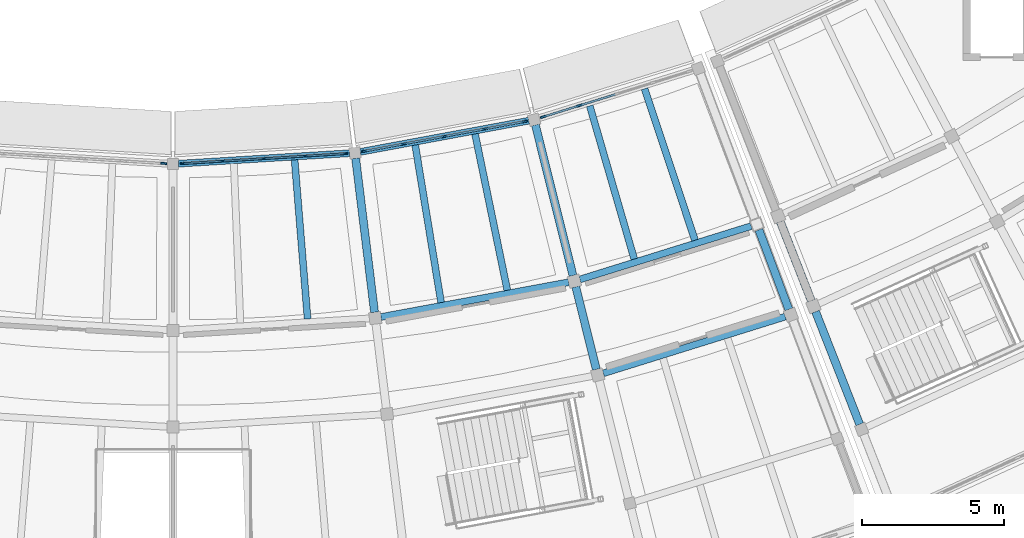
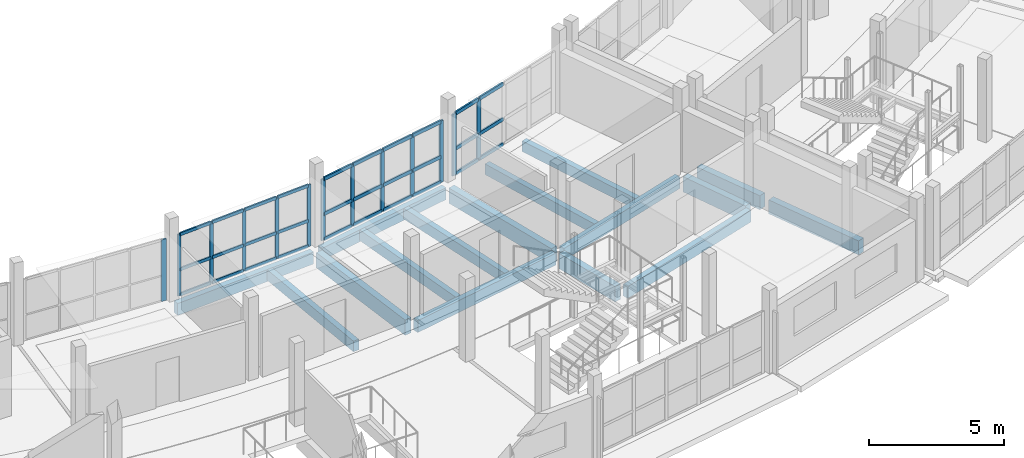
# One storey, part 27 of 66: 43 members, 16 beams, 4 elements without a shape of their own.
"""IFC4 building model written with IfcOpenShell, lengths in metres."""

from ifc_helpers import new_model, si_unit, direction, frame, origin, origin_2d, place, context, subcontext, project, spatial, rectangle, extrude, material, layer, layer_set, material_profile, profile_set, type_object, element, aggregate, save


model = new_model("IFC4")

# Units and contexts
model_context = context("Model", 3, precision=1e-05, world=origin(), true_north=direction((0.0, 1.0)))
body_context = subcontext(model_context, "Body", "Model", "MODEL_VIEW")
ifc_project = project(units=[si_unit("LENGTHUNIT", "METRE"), si_unit("AREAUNIT", "SQUARE_METRE"), si_unit("VOLUMEUNIT", "CUBIC_METRE"), si_unit("PLANEANGLEUNIT", "RADIAN"), si_unit("MASSUNIT", "GRAM", prefix="KILO")], contexts=[model_context])

# Site, building, storey
site_placement = place(None, origin())
site = spatial("IfcSite", under=ifc_project, at=site_placement, CompositionType="ELEMENT")
building_placement = place(site_placement, origin())
building = spatial("IfcBuilding", under=site, at=building_placement, Name="Caldaven Crescent School", CompositionType="ELEMENT")
storey_placement = place(building_placement, frame((0.0, 0.0, 8.159912109375)))
storey = spatial("IfcBuildingStorey", under=building, at=storey_placement, Name="L02", CompositionType="ELEMENT", Elevation=8.159912109375)

# Beams
ifc_material_1 = material(Name="Glulam MLE24h (GL28h)", Category="wood")
ifc_material_profile_1 = material_profile(ifc_material_1, rectangle(XDim=0.239990234375, YDim=0.5400390625, at=origin_2d()), Name="MLE 240x540")
ifc_profile_set_1 = profile_set([ifc_material_profile_1], Name="Glulam MLE24h (GL28h)")
beam_type_1 = type_object("IfcBeamType", Name="BM-GL54", PredefinedType="BEAM", material=ifc_profile_set_1)
beam_1_placement = place(storey_placement, frame((95.306640625, 38.171875, -0.52001953125), z_axis=(0.983256896328, 0.182224794756, 0.0), x_axis=(-0.182224794756, 0.983256896328, 0.0)))
element("IfcBeam", 1, at=beam_1_placement, inside=storey, type_object=beam_type_1, Name="BMT-V5-L02-1261", PredefinedType="BEAM", context=body_context, shape_type="SweptSolid", body=[
    extrude(rectangle(XDim=0.239990234375, YDim=0.5400390625, at=origin_2d()), origin(), (0.0, 0.0, 1.0), 6.708251953125),
])
beam_2_placement = place(storey_placement, frame((102.2998046875, 39.49267578125, -0.52001953125), z_axis=(0.954745450865, 0.297424148401, 0.0), x_axis=(-0.297424148401, 0.954745450865, 0.0)))
element("IfcBeam", 2, at=beam_2_placement, inside=storey, type_object=beam_type_1, Name="BMT-V5-L02-1267", PredefinedType="BEAM", context=body_context, shape_type="SweptSolid", body=[
    extrude(rectangle(XDim=0.239990234375, YDim=0.5400390625, at=origin_2d()), origin(), (0.0, 0.0, 1.0), 6.307373046875),
])
beam_3_placement = place(storey_placement, frame((103.122314453125, 36.193603515625, -0.52001953125), z_axis=(0.95474092987, 0.29743866062, 0.0), x_axis=(-0.29743866062, 0.95474092987, 0.0)))
element("IfcBeam", 3, at=beam_3_placement, inside=storey, type_object=beam_type_1, Name="BMT-V5-L02-1268", PredefinedType="BEAM", context=body_context, shape_type="SweptSolid", body=[
    extrude(rectangle(XDim=0.239990234375, YDim=0.5400390625, at=origin_2d()), origin(), (0.0, 0.0, 1.0), 6.699462890625),
])
ifc_material_profile_2 = material_profile(ifc_material_1, rectangle(XDim=0.280029296875, YDim=0.6298828125, at=origin_2d()), Name="MLE 280x630")
ifc_profile_set_2 = profile_set([ifc_material_profile_2], Name="Glulam MLE24h (GL28h)")
beam_type_2 = type_object("IfcBeamType", Name="BM-GL63", PredefinedType="BEAM", material=ifc_profile_set_2)
beam_4_placement = place(storey_placement, frame((109.341796875, 41.526611328125, -0.56494140625), z_axis=(0.364821090582, -0.931077640085, 0.0), x_axis=(0.931077640085, 0.364821090582, 0.0)))
element("IfcBeam", 4, at=beam_4_placement, inside=storey, type_object=beam_type_2, Name="BMR-V4E-L02-1276", PredefinedType="BEAM", context=body_context, shape_type="SweptSolid", body=[
    extrude(rectangle(XDim=0.280029296875, YDim=0.6298828125, at=origin_2d()), origin(), (0.0, 0.0, 1.0), 2.989990234375),
])
beam_5_placement = place(storey_placement, frame((110.582275390625, 38.36083984375, -0.56494140625), z_axis=(0.364743301382, -0.931108116223, 0.0), x_axis=(0.931108116223, 0.364743301382, 0.0)))
element("IfcBeam", 5, at=beam_5_placement, inside=storey, type_object=beam_type_2, Name="BMR-V4E-L02-1277", PredefinedType="BEAM", context=body_context, shape_type="SweptSolid", body=[
    extrude(rectangle(XDim=0.280029296875, YDim=0.6298828125, at=origin_2d()), origin(), (0.0, 0.0, 1.0), 4.255126953125),
])
ifc_material_profile_3 = material_profile(ifc_material_1, rectangle(XDim=0.280029296875, YDim=0.68994140625, at=origin_2d()), Name="MLE 280x690")
ifc_profile_set_3 = profile_set([ifc_material_profile_3], Name="Glulam MLE24h (GL28h)")
beam_type_3 = type_object("IfcBeamType", Name="BM-GL69", PredefinedType="BEAM", material=ifc_profile_set_3)
for number, where, z_axis, x_axis, name in (
    (6, (94.415283203125, 43.75244140625, -0.594970703125), (0.121869642909, -0.992546114867, 0.0), (0.992546114867, 0.121869642909, 0.0), "BMR-V5-L02-1216"),
    (7, (100.73486328125, 44.923583984375, -0.594970703125), (0.241903730583, -0.970300255143, 0.0), (0.970300255143, 0.241903730583, 0.0), "BMR-V5-L02-1220"),
):
    element("IfcBeam", number, at=place(storey_placement, frame(where, z_axis=z_axis, x_axis=x_axis)), inside=storey, type_object=beam_type_3, Name=name, PredefinedType="BEAM", context=body_context, shape_type="SweptSolid", body=[
        extrude(rectangle(XDim=0.280029296875, YDim=0.68994140625, at=origin_2d()), origin(), (0.0, 0.0, 1.0), 5.455078125),
    ])
beam_6_placement = place(storey_placement, frame((102.153564453125, 39.23291015625, -0.594970703125), z_axis=(0.241920820529, -0.97029599432, 0.0), x_axis=(0.97029599432, 0.241920820529, 0.0)))
element("IfcBeam", 8, at=beam_6_placement, inside=storey, type_object=beam_type_3, Name="BMR-V5-L02-1221", PredefinedType="BEAM", context=body_context, shape_type="SweptSolid", body=[
    extrude(rectangle(XDim=0.280029296875, YDim=0.68994140625, at=origin_2d()), origin(), (0.0, 0.0, 1.0), 2.990234375),
])
beam_7_placement = place(storey_placement, frame((108.58984375, 41.23779296875, -0.594970703125), z_axis=(0.351937632277, -0.936023452157, 0.0), x_axis=(0.936023452157, 0.351937632277, 0.0)))
element("IfcBeam", 9, at=beam_7_placement, inside=storey, type_object=beam_type_3, Name="BMR-V5-L02-1225", PredefinedType="BEAM", context=body_context, shape_type="SweptSolid", body=[
    extrude(rectangle(XDim=0.280029296875, YDim=0.68994140625, at=origin_2d()), origin(), (0.0, 0.0, 1.0), 2.98974609375),
])

# Curtain wall, members
ifc_material_2 = material(Name="Anodised aluminium AA 6063-T6 and low-E double glazing", Category="aluminium")
ifc_layer_1 = layer(ifc_material_2, 0.18994140625)
ifc_layer_set_1 = layer_set([ifc_layer_1], Name="Anodised aluminium AA 6063-T6 and low-E double glazing")
curtain_wall_type_1 = type_object("IfcCurtainWallType", Name="CW-SYS2", PredefinedType="NOTDEFINED", material=ifc_layer_set_1)
curtain_wall_1_placement = place(storey_placement, origin())
curtain_wall_1 = element("IfcCurtainWall", 10, at=curtain_wall_1_placement, inside=storey, type_object=curtain_wall_type_1, Name="CW-L02-145", PredefinedType="NOTDEFINED")
ifc_material_3 = material(Name="Anodised aluminium AA 6063-T6", Category="aluminium")
ifc_material_profile_4 = material_profile(ifc_material_3, rectangle(XDim=0.06005859375, YDim=0.14990234375, at=origin_2d()), Name="CWM 60x150")
ifc_profile_set_4 = profile_set([ifc_material_profile_4], Name="Anodised aluminium AA 6063-T6")
member_type_1 = type_object("IfcMemberType", Name="CWM-T1", PredefinedType="MULLION", material=ifc_profile_set_4)
member_1_placement = place(storey_placement, frame((88.329345703125, 43.570068359375, 0.0), z_axis=(0.0, 0.0, 1.0), x_axis=(-0.061049319496, 0.998134750717, 0.0)))
member_1 = element("IfcMember", 11, at=member_1_placement, type_object=member_type_1, Name="CW2 mullion 1", PredefinedType="MULLION", context=body_context, shape_type="SweptSolid", body=[
    extrude(rectangle(XDim=0.06005859375, YDim=0.14990234375, at=origin_2d()), origin(), (0.0, 0.0, 1.0), 2.780029296875),
])
member_2_placement = place(storey_placement, frame((89.747802734375, 43.656982421875, 0.0), z_axis=(0.0, 0.0, 1.0), x_axis=(-0.061049319496, 0.998134750717, 0.0)))
member_2 = element("IfcMember", 12, at=member_2_placement, type_object=member_type_1, Name="CW2 mullion 2", PredefinedType="MULLION", context=body_context, shape_type="SweptSolid", body=[
    extrude(rectangle(XDim=0.06005859375, YDim=0.14990234375, at=origin_2d()), origin(), (0.0, 0.0, 1.0), 2.780029296875),
])
member_3_placement = place(storey_placement, frame((91.196044921875, 43.745361328125, 0.0), z_axis=(0.0, 0.0, 1.0), x_axis=(-0.061049319496, 0.998134750717, 0.0)))
member_3 = element("IfcMember", 13, at=member_3_placement, type_object=member_type_1, Name="CW2 mullion 3", PredefinedType="MULLION", context=body_context, shape_type="SweptSolid", body=[
    extrude(rectangle(XDim=0.06005859375, YDim=0.14990234375, at=origin_2d()), origin(), (0.0, 0.0, 1.0), 2.780029296875),
])
member_4_placement = place(storey_placement, frame((92.644287109375, 43.833984375, 0.0), z_axis=(0.0, 0.0, 1.0), x_axis=(-0.061049319496, 0.998134750717, 0.0)))
member_4 = element("IfcMember", 14, at=member_4_placement, type_object=member_type_1, Name="CW2 mullion 4", PredefinedType="MULLION", context=body_context, shape_type="SweptSolid", body=[
    extrude(rectangle(XDim=0.06005859375, YDim=0.14990234375, at=origin_2d()), origin(), (0.0, 0.0, 1.0), 2.780029296875),
])
member_5_placement = place(storey_placement, frame((94.062744140625, 43.9208984375, 0.0), z_axis=(0.0, 0.0, 1.0), x_axis=(-0.061049319496, 0.998134750717, 0.0)))
member_5 = element("IfcMember", 15, at=member_5_placement, type_object=member_type_1, Name="CW2 mullion 5", PredefinedType="MULLION", context=body_context, shape_type="SweptSolid", body=[
    extrude(rectangle(XDim=0.06005859375, YDim=0.14990234375, at=origin_2d()), origin(), (0.0, 0.0, 1.0), 2.780029296875),
])

ifc_layer_2 = layer(ifc_material_2, 0.2099609375)
ifc_layer_set_2 = layer_set([ifc_layer_2], Name="Anodised aluminium AA 6063-T6 and low-E double glazing")
curtain_wall_type_2 = type_object("IfcCurtainWallType", Name="CW-SYS3", PredefinedType="NOTDEFINED", material=ifc_layer_set_2)
curtain_wall_2_placement = place(storey_placement, origin())
curtain_wall_2 = element("IfcCurtainWall", 16, at=curtain_wall_2_placement, inside=storey, type_object=curtain_wall_type_2, Name="CW-L02-146", PredefinedType="NOTDEFINED")
ifc_material_profile_5 = material_profile(ifc_material_3, rectangle(XDim=0.06494140625, YDim=0.179931640625, at=origin_2d()), Name="CWM 65x180")
ifc_profile_set_5 = profile_set([ifc_material_profile_5], Name="Anodised aluminium AA 6063-T6")
member_type_2 = type_object("IfcMemberType", Name="CWM-T2", PredefinedType="MULLION", material=ifc_profile_set_5)
member_6_placement = place(storey_placement, frame((94.718994140625, 44.00146484375, 0.0), z_axis=(0.0, 0.0, 1.0), x_axis=(-0.182236405836, 0.983254744401, 0.0)))
member_6 = element("IfcMember", 17, at=member_6_placement, type_object=member_type_2, Name="CW3 mullion 1", PredefinedType="MULLION", context=body_context, shape_type="SweptSolid", body=[
    extrude(rectangle(XDim=0.06494140625, YDim=0.179931640625, at=origin_2d()), origin(), (0.0, 0.0, 1.0), 2.780029296875),
])
member_7_placement = place(storey_placement, frame((96.11376953125, 44.260009765625, 0.0), z_axis=(0.0, 0.0, 1.0), x_axis=(-0.182236405836, 0.983254744401, 0.0)))
member_7 = element("IfcMember", 18, at=member_7_placement, type_object=member_type_2, Name="CW3 mullion 2", PredefinedType="MULLION", context=body_context, shape_type="SweptSolid", body=[
    extrude(rectangle(XDim=0.06494140625, YDim=0.179931640625, at=origin_2d()), origin(), (0.0, 0.0, 1.0), 2.780029296875),
])
member_8_placement = place(storey_placement, frame((97.54052734375, 44.5244140625, 0.0), z_axis=(0.0, 0.0, 1.0), x_axis=(-0.182236405836, 0.983254744401, 0.0)))
member_8 = element("IfcMember", 19, at=member_8_placement, type_object=member_type_2, Name="CW3 mullion 3", PredefinedType="MULLION", context=body_context, shape_type="SweptSolid", body=[
    extrude(rectangle(XDim=0.06494140625, YDim=0.179931640625, at=origin_2d()), origin(), (0.0, 0.0, 1.0), 2.780029296875),
])
member_9_placement = place(storey_placement, frame((98.967041015625, 44.788818359375, 0.0), z_axis=(0.0, 0.0, 1.0), x_axis=(-0.182236405836, 0.983254744401, 0.0)))
member_9 = element("IfcMember", 20, at=member_9_placement, type_object=member_type_2, Name="CW3 mullion 4", PredefinedType="MULLION", context=body_context, shape_type="SweptSolid", body=[
    extrude(rectangle(XDim=0.06494140625, YDim=0.179931640625, at=origin_2d()), origin(), (0.0, 0.0, 1.0), 2.780029296875),
])
member_10_placement = place(storey_placement, frame((100.36181640625, 45.04736328125, 0.0), z_axis=(0.0, 0.0, 1.0), x_axis=(-0.182236405836, 0.983254744401, 0.0)))
member_10 = element("IfcMember", 21, at=member_10_placement, type_object=member_type_2, Name="CW3 mullion 5", PredefinedType="MULLION", context=body_context, shape_type="SweptSolid", body=[
    extrude(rectangle(XDim=0.06494140625, YDim=0.179931640625, at=origin_2d()), origin(), (0.0, 0.0, 1.0), 2.780029296875),
])

# Curtain wall, member
ifc_layer_3 = layer(ifc_material_2, 0.169921875)
ifc_layer_set_3 = layer_set([ifc_layer_3], Name="Anodised aluminium AA 6063-T6 and low-E double glazing")
curtain_wall_type_3 = type_object("IfcCurtainWallType", Name="CW-SYS1", PredefinedType="NOTDEFINED", material=ifc_layer_set_3)
curtain_wall_3_placement = place(storey_placement, origin())
curtain_wall_3 = element("IfcCurtainWall", 22, at=curtain_wall_3_placement, inside=storey, type_object=curtain_wall_type_3, Name="CW-L02-143", PredefinedType="NOTDEFINED")
ifc_material_profile_6 = material_profile(ifc_material_3, rectangle(XDim=0.070068359375, YDim=0.2099609375, at=origin_2d()), Name="CWM 70x210")
ifc_profile_set_6 = profile_set([ifc_material_profile_6], Name="Anodised aluminium AA 6063-T6")
member_type_3 = type_object("IfcMemberType", Name="CWM-T3", PredefinedType="MULLION", material=ifc_profile_set_6)
member_11_placement = place(storey_placement, frame((87.66552734375, 43.570556640625, 0.0), z_axis=(0.0, 0.0, 1.0), x_axis=(0.061049319496, 0.998134750717, 0.0)))
member_11 = element("IfcMember", 23, at=member_11_placement, type_object=member_type_3, Name="CW1 mullion 5", PredefinedType="MULLION", context=body_context, shape_type="SweptSolid", body=[
    extrude(rectangle(XDim=0.070068359375, YDim=0.2099609375, at=origin_2d()), origin(), (0.0, 0.0, 1.0), 2.780029296875),
])
aggregate(curtain_wall_3, [member_11])

# Curtain wall, members
ifc_layer_4 = layer(ifc_material_2, 0.22998046875)
ifc_layer_set_4 = layer_set([ifc_layer_4], Name="Anodised aluminium AA 6063-T6 and low-E double glazing")
curtain_wall_type_4 = type_object("IfcCurtainWallType", Name="CW-SYS4", PredefinedType="NOTDEFINED", material=ifc_layer_set_4)
curtain_wall_4_placement = place(storey_placement, origin())
curtain_wall_4 = element("IfcCurtainWall", 24, at=curtain_wall_4_placement, inside=storey, type_object=curtain_wall_type_4, Name="CW-L02-148", PredefinedType="NOTDEFINED")
member_12_placement = place(storey_placement, frame((101.008544921875, 45.20751953125, 0.0), z_axis=(0.0, 0.0, 1.0), x_axis=(-0.297419758694, 0.954746818344, 0.0)))
member_12 = element("IfcMember", 25, at=member_12_placement, type_object=member_type_3, Name="CW4 mullion 1", PredefinedType="MULLION", context=body_context, shape_type="SweptSolid", body=[
    extrude(rectangle(XDim=0.070068359375, YDim=0.2099609375, at=origin_2d()), origin(), (0.0, 0.0, 1.0), 2.780029296875),
])
member_13_placement = place(storey_placement, frame((102.2744140625, 45.60205078125, 0.0), z_axis=(0.0, 0.0, 1.0), x_axis=(-0.297419758694, 0.954746818344, 0.0)))
member_13 = element("IfcMember", 26, at=member_13_placement, type_object=member_type_3, Name="CW4 mullion 2", PredefinedType="MULLION", context=body_context, shape_type="SweptSolid", body=[
    extrude(rectangle(XDim=0.070068359375, YDim=0.2099609375, at=origin_2d()), origin(), (0.0, 0.0, 1.0), 2.780029296875),
])

# Member
ifc_material_profile_7 = material_profile(ifc_material_3, rectangle(XDim=0.06494140625, YDim=0.139892578125, at=origin_2d()), Name="CWT 65x140")
ifc_profile_set_7 = profile_set([ifc_material_profile_7], Name="Anodised aluminium AA 6063-T6")
member_type_4 = type_object("IfcMemberType", Name="CWT-T2", PredefinedType="USERDEFINED", material=ifc_profile_set_7)
member_14_placement = place(storey_placement, frame((88.359375, 43.572021484375, 0.032470703125), z_axis=(0.998138172654, 0.06099334628, 0.0), x_axis=(-0.06099334628, 0.998138172654, 0.0)))
member_14 = element("IfcMember", 27, at=member_14_placement, type_object=member_type_4, Name="CW2 transom 1.1", ObjectType="TRANSOM", PredefinedType="USERDEFINED", context=body_context, shape_type="SweptSolid", body=[
    extrude(rectangle(XDim=0.06494140625, YDim=0.139892578125, at=origin_2d()), origin(), (0.0, 0.0, 1.0), 1.36083984375),
])

member_15_placement = place(storey_placement, frame((88.359375, 43.572021484375, 1.16796875), z_axis=(0.998138172654, 0.06099334628, 0.0), x_axis=(-0.06099334628, 0.998138172654, 0.0)))
member_15 = element("IfcMember", 28, at=member_15_placement, type_object=member_type_4, Name="CW2 transom 1.2", ObjectType="TRANSOM", PredefinedType="USERDEFINED", context=body_context, shape_type="SweptSolid", body=[
    extrude(rectangle(XDim=0.06494140625, YDim=0.139892578125, at=origin_2d()), origin(), (0.0, 0.0, 1.0), 1.36083984375),
])

member_16_placement = place(storey_placement, frame((88.359375, 43.572021484375, 2.74755859375), z_axis=(0.998138172654, 0.06099334628, 0.0), x_axis=(-0.06099334628, 0.998138172654, 0.0)))
member_16 = element("IfcMember", 29, at=member_16_placement, type_object=member_type_4, Name="CW2 transom 1.3", ObjectType="TRANSOM", PredefinedType="USERDEFINED", context=body_context, shape_type="SweptSolid", body=[
    extrude(rectangle(XDim=0.06494140625, YDim=0.139892578125, at=origin_2d()), origin(), (0.0, 0.0, 1.0), 1.36083984375),
])

member_17_placement = place(storey_placement, frame((89.777587890625, 43.65869140625, 0.032470703125), z_axis=(0.998132999358, 0.061077946857, 0.0), x_axis=(-0.061077946857, 0.998132999358, 0.0)))
member_17 = element("IfcMember", 30, at=member_17_placement, type_object=member_type_4, Name="CW2 transom 2.1", ObjectType="TRANSOM", PredefinedType="USERDEFINED", context=body_context, shape_type="SweptSolid", body=[
    extrude(rectangle(XDim=0.06494140625, YDim=0.139892578125, at=origin_2d()), origin(), (0.0, 0.0, 1.0), 1.39111328125),
])

member_18_placement = place(storey_placement, frame((89.777587890625, 43.65869140625, 1.16796875), z_axis=(0.998132999358, 0.061077946857, 0.0), x_axis=(-0.061077946857, 0.998132999358, 0.0)))
member_18 = element("IfcMember", 31, at=member_18_placement, type_object=member_type_4, Name="CW2 transom 2.2", ObjectType="TRANSOM", PredefinedType="USERDEFINED", context=body_context, shape_type="SweptSolid", body=[
    extrude(rectangle(XDim=0.06494140625, YDim=0.139892578125, at=origin_2d()), origin(), (0.0, 0.0, 1.0), 1.39111328125),
])

member_19_placement = place(storey_placement, frame((89.777587890625, 43.65869140625, 2.74755859375), z_axis=(0.998132999358, 0.061077946857, 0.0), x_axis=(-0.061077946857, 0.998132999358, 0.0)))
member_19 = element("IfcMember", 32, at=member_19_placement, type_object=member_type_4, Name="CW2 transom 2.3", ObjectType="TRANSOM", PredefinedType="USERDEFINED", context=body_context, shape_type="SweptSolid", body=[
    extrude(rectangle(XDim=0.06494140625, YDim=0.139892578125, at=origin_2d()), origin(), (0.0, 0.0, 1.0), 1.39111328125),
])

member_20_placement = place(storey_placement, frame((91.22607421875, 43.747314453125, 0.032470703125), z_axis=(0.998132344438, 0.061088648587, 0.0), x_axis=(-0.061088648587, 0.998132344438, 0.0)))
member_20 = element("IfcMember", 33, at=member_20_placement, type_object=member_type_4, Name="CW2 transom 3.1", ObjectType="TRANSOM", PredefinedType="USERDEFINED", context=body_context, shape_type="SweptSolid", body=[
    extrude(rectangle(XDim=0.06494140625, YDim=0.139892578125, at=origin_2d()), origin(), (0.0, 0.0, 1.0), 1.390869140625),
])

member_21_placement = place(storey_placement, frame((91.22607421875, 43.747314453125, 1.16796875), z_axis=(0.998132344438, 0.061088648587, 0.0), x_axis=(-0.061088648587, 0.998132344438, 0.0)))
member_21 = element("IfcMember", 34, at=member_21_placement, type_object=member_type_4, Name="CW2 transom 3.2", ObjectType="TRANSOM", PredefinedType="USERDEFINED", context=body_context, shape_type="SweptSolid", body=[
    extrude(rectangle(XDim=0.06494140625, YDim=0.139892578125, at=origin_2d()), origin(), (0.0, 0.0, 1.0), 1.390869140625),
])

member_22_placement = place(storey_placement, frame((91.22607421875, 43.747314453125, 2.74755859375), z_axis=(0.998132344438, 0.061088648587, 0.0), x_axis=(-0.061088648587, 0.998132344438, 0.0)))
member_22 = element("IfcMember", 35, at=member_22_placement, type_object=member_type_4, Name="CW2 transom 3.3", ObjectType="TRANSOM", PredefinedType="USERDEFINED", context=body_context, shape_type="SweptSolid", body=[
    extrude(rectangle(XDim=0.06494140625, YDim=0.139892578125, at=origin_2d()), origin(), (0.0, 0.0, 1.0), 1.390869140625),
])

member_23_placement = place(storey_placement, frame((92.67431640625, 43.8359375, 0.032470703125), z_axis=(0.998138172654, 0.06099334628, 0.0), x_axis=(-0.06099334628, 0.998138172654, 0.0)))
member_23 = element("IfcMember", 36, at=member_23_placement, type_object=member_type_4, Name="CW2 transom 4.1", ObjectType="TRANSOM", PredefinedType="USERDEFINED", context=body_context, shape_type="SweptSolid", body=[
    extrude(rectangle(XDim=0.06494140625, YDim=0.139892578125, at=origin_2d()), origin(), (0.0, 0.0, 1.0), 1.36083984375),
])

member_24_placement = place(storey_placement, frame((92.67431640625, 43.8359375, 1.16796875), z_axis=(0.998138172654, 0.06099334628, 0.0), x_axis=(-0.06099334628, 0.998138172654, 0.0)))
member_24 = element("IfcMember", 37, at=member_24_placement, type_object=member_type_4, Name="CW2 transom 4.2", ObjectType="TRANSOM", PredefinedType="USERDEFINED", context=body_context, shape_type="SweptSolid", body=[
    extrude(rectangle(XDim=0.06494140625, YDim=0.139892578125, at=origin_2d()), origin(), (0.0, 0.0, 1.0), 1.36083984375),
])

member_25_placement = place(storey_placement, frame((92.67431640625, 43.8359375, 2.74755859375), z_axis=(0.998138172654, 0.06099334628, 0.0), x_axis=(-0.06099334628, 0.998138172654, 0.0)))
member_25 = element("IfcMember", 38, at=member_25_placement, type_object=member_type_4, Name="CW2 transom 4.3", ObjectType="TRANSOM", PredefinedType="USERDEFINED", context=body_context, shape_type="SweptSolid", body=[
    extrude(rectangle(XDim=0.06494140625, YDim=0.139892578125, at=origin_2d()), origin(), (0.0, 0.0, 1.0), 1.36083984375),
])

aggregate(curtain_wall_1, [member_1, member_2, member_3, member_4, member_5, member_14, member_15, member_16, member_17, member_18, member_19, member_20, member_21, member_22, member_23, member_24, member_25])

ifc_material_profile_8 = material_profile(ifc_material_3, rectangle(XDim=0.070068359375, YDim=0.159912109375, at=origin_2d()), Name="CWT 70x160")
ifc_profile_set_8 = profile_set([ifc_material_profile_8], Name="Anodised aluminium AA 6063-T6")
member_type_5 = type_object("IfcMemberType", Name="CWT-T3", PredefinedType="USERDEFINED", material=ifc_profile_set_8)
member_26_placement = place(storey_placement, frame((94.7509765625, 44.007568359375, 0.03515625), z_axis=(0.983264057672, 0.182186149009, 0.0), x_axis=(-0.182186149009, 0.983264057672, 0.0)))
member_26 = element("IfcMember", 39, at=member_26_placement, type_object=member_type_5, Name="CW3 transom 1.1", ObjectType="TRANSOM", PredefinedType="USERDEFINED", context=body_context, shape_type="SweptSolid", body=[
    extrude(rectangle(XDim=0.070068359375, YDim=0.159912109375, at=origin_2d()), origin(), (0.0, 0.0, 1.0), 1.353515625),
])

member_27_placement = place(storey_placement, frame((94.7509765625, 44.007568359375, 1.16796875), z_axis=(0.983264057672, 0.182186149009, 0.0), x_axis=(-0.182186149009, 0.983264057672, 0.0)))
member_27 = element("IfcMember", 40, at=member_27_placement, type_object=member_type_5, Name="CW3 transom 1.2", ObjectType="TRANSOM", PredefinedType="USERDEFINED", context=body_context, shape_type="SweptSolid", body=[
    extrude(rectangle(XDim=0.070068359375, YDim=0.159912109375, at=origin_2d()), origin(), (0.0, 0.0, 1.0), 1.353515625),
])

member_28_placement = place(storey_placement, frame((94.7509765625, 44.007568359375, 2.7451171875), z_axis=(0.983264057672, 0.182186149009, 0.0), x_axis=(-0.182186149009, 0.983264057672, 0.0)))
member_28 = element("IfcMember", 41, at=member_28_placement, type_object=member_type_5, Name="CW3 transom 1.3", ObjectType="TRANSOM", PredefinedType="USERDEFINED", context=body_context, shape_type="SweptSolid", body=[
    extrude(rectangle(XDim=0.070068359375, YDim=0.159912109375, at=origin_2d()), origin(), (0.0, 0.0, 1.0), 1.353515625),
])

member_29_placement = place(storey_placement, frame((96.145751953125, 44.265869140625, 0.03515625), z_axis=(0.983241097753, 0.182310020812, 0.0), x_axis=(-0.182310020812, 0.983241097753, 0.0)))
member_29 = element("IfcMember", 42, at=member_29_placement, type_object=member_type_5, Name="CW3 transom 2.1", ObjectType="TRANSOM", PredefinedType="USERDEFINED", context=body_context, shape_type="SweptSolid", body=[
    extrude(rectangle(XDim=0.070068359375, YDim=0.159912109375, at=origin_2d()), origin(), (0.0, 0.0, 1.0), 1.385986328125),
])

member_30_placement = place(storey_placement, frame((96.145751953125, 44.265869140625, 1.16796875), z_axis=(0.983241097753, 0.182310020812, 0.0), x_axis=(-0.182310020812, 0.983241097753, 0.0)))
member_30 = element("IfcMember", 43, at=member_30_placement, type_object=member_type_5, Name="CW3 transom 2.2", ObjectType="TRANSOM", PredefinedType="USERDEFINED", context=body_context, shape_type="SweptSolid", body=[
    extrude(rectangle(XDim=0.070068359375, YDim=0.159912109375, at=origin_2d()), origin(), (0.0, 0.0, 1.0), 1.385986328125),
])

member_31_placement = place(storey_placement, frame((96.145751953125, 44.265869140625, 2.7451171875), z_axis=(0.983241097753, 0.182310020812, 0.0), x_axis=(-0.182310020812, 0.983241097753, 0.0)))
member_31 = element("IfcMember", 44, at=member_31_placement, type_object=member_type_5, Name="CW3 transom 2.3", ObjectType="TRANSOM", PredefinedType="USERDEFINED", context=body_context, shape_type="SweptSolid", body=[
    extrude(rectangle(XDim=0.070068359375, YDim=0.159912109375, at=origin_2d()), origin(), (0.0, 0.0, 1.0), 1.385986328125),
])

member_32_placement = place(storey_placement, frame((97.572265625, 44.5302734375, 0.03515625), z_axis=(0.983241097753, 0.182310020812, 0.0), x_axis=(-0.182310020812, 0.983241097753, 0.0)))
member_32 = element("IfcMember", 45, at=member_32_placement, type_object=member_type_5, Name="CW3 transom 3.1", ObjectType="TRANSOM", PredefinedType="USERDEFINED", context=body_context, shape_type="SweptSolid", body=[
    extrude(rectangle(XDim=0.070068359375, YDim=0.159912109375, at=origin_2d()), origin(), (0.0, 0.0, 1.0), 1.385986328125),
])

member_33_placement = place(storey_placement, frame((97.572265625, 44.5302734375, 1.16796875), z_axis=(0.983241097753, 0.182310020812, 0.0), x_axis=(-0.182310020812, 0.983241097753, 0.0)))
member_33 = element("IfcMember", 46, at=member_33_placement, type_object=member_type_5, Name="CW3 transom 3.2", ObjectType="TRANSOM", PredefinedType="USERDEFINED", context=body_context, shape_type="SweptSolid", body=[
    extrude(rectangle(XDim=0.070068359375, YDim=0.159912109375, at=origin_2d()), origin(), (0.0, 0.0, 1.0), 1.385986328125),
])

member_34_placement = place(storey_placement, frame((97.572265625, 44.5302734375, 2.7451171875), z_axis=(0.983241097753, 0.182310020812, 0.0), x_axis=(-0.182310020812, 0.983241097753, 0.0)))
member_34 = element("IfcMember", 47, at=member_34_placement, type_object=member_type_5, Name="CW3 transom 3.3", ObjectType="TRANSOM", PredefinedType="USERDEFINED", context=body_context, shape_type="SweptSolid", body=[
    extrude(rectangle(XDim=0.070068359375, YDim=0.159912109375, at=origin_2d()), origin(), (0.0, 0.0, 1.0), 1.385986328125),
])

member_35_placement = place(storey_placement, frame((98.9990234375, 44.794921875, 0.03515625), z_axis=(0.983264057672, 0.182186149009, 0.0), x_axis=(-0.182186149009, 0.983264057672, 0.0)))
member_35 = element("IfcMember", 48, at=member_35_placement, type_object=member_type_5, Name="CW3 transom 4.1", ObjectType="TRANSOM", PredefinedType="USERDEFINED", context=body_context, shape_type="SweptSolid", body=[
    extrude(rectangle(XDim=0.070068359375, YDim=0.159912109375, at=origin_2d()), origin(), (0.0, 0.0, 1.0), 1.353515625),
])

member_36_placement = place(storey_placement, frame((98.9990234375, 44.794921875, 1.16796875), z_axis=(0.983264057672, 0.182186149009, 0.0), x_axis=(-0.182186149009, 0.983264057672, 0.0)))
member_36 = element("IfcMember", 49, at=member_36_placement, type_object=member_type_5, Name="CW3 transom 4.2", ObjectType="TRANSOM", PredefinedType="USERDEFINED", context=body_context, shape_type="SweptSolid", body=[
    extrude(rectangle(XDim=0.070068359375, YDim=0.159912109375, at=origin_2d()), origin(), (0.0, 0.0, 1.0), 1.353515625),
])

member_37_placement = place(storey_placement, frame((98.9990234375, 44.794921875, 2.7451171875), z_axis=(0.983264057672, 0.182186149009, 0.0), x_axis=(-0.182186149009, 0.983264057672, 0.0)))
member_37 = element("IfcMember", 50, at=member_37_placement, type_object=member_type_5, Name="CW3 transom 4.3", ObjectType="TRANSOM", PredefinedType="USERDEFINED", context=body_context, shape_type="SweptSolid", body=[
    extrude(rectangle(XDim=0.070068359375, YDim=0.159912109375, at=origin_2d()), origin(), (0.0, 0.0, 1.0), 1.353515625),
])

aggregate(curtain_wall_2, [member_6, member_7, member_8, member_9, member_10, member_26, member_27, member_28, member_29, member_30, member_31, member_32, member_33, member_34, member_35, member_36, member_37])

member_38_placement = place(storey_placement, frame((101.0419921875, 45.218017578125, 0.03515625), z_axis=(0.954756253786, 0.297389468301, 0.0), x_axis=(-0.297389468301, 0.954756253786, 0.0)))
member_38 = element("IfcMember", 51, at=member_38_placement, type_object=member_type_5, Name="CW4 transom 1.1", ObjectType="TRANSOM", PredefinedType="USERDEFINED", context=body_context, shape_type="SweptSolid", body=[
    extrude(rectangle(XDim=0.070068359375, YDim=0.159912109375, at=origin_2d()), origin(), (0.0, 0.0, 1.0), 1.256103515625),
])

member_39_placement = place(storey_placement, frame((101.0419921875, 45.218017578125, 1.16796875), z_axis=(0.954756253786, 0.297389468301, 0.0), x_axis=(-0.297389468301, 0.954756253786, 0.0)))
member_39 = element("IfcMember", 52, at=member_39_placement, type_object=member_type_5, Name="CW4 transom 1.2", ObjectType="TRANSOM", PredefinedType="USERDEFINED", context=body_context, shape_type="SweptSolid", body=[
    extrude(rectangle(XDim=0.070068359375, YDim=0.159912109375, at=origin_2d()), origin(), (0.0, 0.0, 1.0), 1.256103515625),
])

member_40_placement = place(storey_placement, frame((101.0419921875, 45.218017578125, 2.7451171875), z_axis=(0.954756253786, 0.297389468301, 0.0), x_axis=(-0.297389468301, 0.954756253786, 0.0)))
member_40 = element("IfcMember", 53, at=member_40_placement, type_object=member_type_5, Name="CW4 transom 1.3", ObjectType="TRANSOM", PredefinedType="USERDEFINED", context=body_context, shape_type="SweptSolid", body=[
    extrude(rectangle(XDim=0.070068359375, YDim=0.159912109375, at=origin_2d()), origin(), (0.0, 0.0, 1.0), 1.256103515625),
])

member_41_placement = place(storey_placement, frame((102.307861328125, 45.6123046875, 0.03515625), z_axis=(0.954721963294, 0.297499534125, 0.0), x_axis=(-0.297499534125, 0.954721963294, 0.0)))
member_41 = element("IfcMember", 54, at=member_41_placement, type_object=member_type_5, Name="CW4 transom 2.1", ObjectType="TRANSOM", PredefinedType="USERDEFINED", context=body_context, shape_type="SweptSolid", body=[
    extrude(rectangle(XDim=0.070068359375, YDim=0.159912109375, at=origin_2d()), origin(), (0.0, 0.0, 1.0), 1.290771484375),
])

member_42_placement = place(storey_placement, frame((102.307861328125, 45.6123046875, 1.16796875), z_axis=(0.954721963294, 0.297499534125, 0.0), x_axis=(-0.297499534125, 0.954721963294, 0.0)))
member_42 = element("IfcMember", 55, at=member_42_placement, type_object=member_type_5, Name="CW4 transom 2.2", ObjectType="TRANSOM", PredefinedType="USERDEFINED", context=body_context, shape_type="SweptSolid", body=[
    extrude(rectangle(XDim=0.070068359375, YDim=0.159912109375, at=origin_2d()), origin(), (0.0, 0.0, 1.0), 1.290771484375),
])

member_43_placement = place(storey_placement, frame((102.307861328125, 45.6123046875, 2.7451171875), z_axis=(0.954721963294, 0.297499534125, 0.0), x_axis=(-0.297499534125, 0.954721963294, 0.0)))
member_43 = element("IfcMember", 56, at=member_43_placement, type_object=member_type_5, Name="CW4 transom 2.3", ObjectType="TRANSOM", PredefinedType="USERDEFINED", context=body_context, shape_type="SweptSolid", body=[
    extrude(rectangle(XDim=0.070068359375, YDim=0.159912109375, at=origin_2d()), origin(), (0.0, 0.0, 1.0), 1.290771484375),
])

aggregate(curtain_wall_4, [member_12, member_13, member_38, member_39, member_40, member_41, member_42, member_43])

# Beams
ifc_material_profile_9 = material_profile(ifc_material_1, rectangle(XDim=0.239990234375, YDim=0.47998046875, at=origin_2d()), Name="MLE 240x480")
ifc_profile_set_9 = profile_set([ifc_material_profile_9], Name="Glulam MLE24h (GL28h)")
beam_type_4 = type_object("IfcBeamType", Name="JS-GL48", PredefinedType="JOIST", material=ifc_profile_set_9)
for number, where, z_axis, x_axis, name in (
    (57, (92.270751953125, 43.696044921875, -0.489990234375), (0.081374360202, -0.996683607521, 0.0), (0.996683607521, 0.081374360202, 0.0), "JSR-V5-L02-1258"),
    (58, (96.509521484375, 44.216552734375, -0.489990234375), (0.162182803006, -0.98676073007, 0.0), (0.98676073007, 0.162182803006, 0.0), "JSR-V5-L02-1264"),
    (59, (98.613037109375, 44.6064453125, -0.489990234375), (0.202263118958, -0.979331216039, 0.0), (0.979331216039, 0.202263118958, 0.0), "JSR-V5-L02-1265"),
):
    element("IfcBeam", number, at=place(storey_placement, frame(where, z_axis=z_axis, x_axis=x_axis)), inside=storey, type_object=beam_type_4, Name=name, PredefinedType="JOIST", context=body_context, shape_type="SweptSolid", body=[
        extrude(rectangle(XDim=0.239990234375, YDim=0.47998046875, at=origin_2d()), origin(), (0.0, 0.0, 1.0), 5.6103515625),
    ])
beam_8_placement = place(storey_placement, frame((102.644287109375, 45.5966796875, -0.489990234375), z_axis=(0.278982349026, -0.960296229781, 0.0), x_axis=(0.960296229781, 0.278982349026, 0.0)))
element("IfcBeam", 60, at=beam_8_placement, inside=storey, type_object=beam_type_4, Name="JSR-V5-L02-1271", PredefinedType="JOIST", context=body_context, shape_type="SweptSolid", body=[
    extrude(rectangle(XDim=0.239990234375, YDim=0.47998046875, at=origin_2d()), origin(), (0.0, 0.0, 1.0), 5.611328125),
])
beam_9_placement = place(storey_placement, frame((104.57177734375, 46.197265625, -0.489990234375), z_axis=(0.315731740735, -0.948848495753, 0.0), x_axis=(0.948848495753, 0.315731740735, 0.0)))
element("IfcBeam", 61, at=beam_9_placement, inside=storey, type_object=beam_type_4, Name="JSR-V5-L02-1273", PredefinedType="JOIST", context=body_context, shape_type="SweptSolid", body=[
    extrude(rectangle(XDim=0.239990234375, YDim=0.47998046875, at=origin_2d()), origin(), (0.0, 0.0, 1.0), 5.611572265625),
])
ifc_material_profile_10 = material_profile(ifc_material_1, rectangle(XDim=0.239990234375, YDim=0.5400390625, at=origin_2d()), Name="MLE 240x540")
ifc_profile_set_10 = profile_set([ifc_material_profile_10], Name="Glulam MLE24h (GL28h)")
beam_type_5 = type_object("IfcBeamType", Name="SP-GL54", PredefinedType="SPANDREL", material=ifc_profile_set_10)
for number, where, z_axis, x_axis, name in (
    (62, (88.189697265625, 43.5615234375, -0.52001953125), (0.998133101455, 0.061076278378, 0.0), (-0.061076278378, 0.998133101455, 0.0), "BMT-V5-L02-1251"),
    (63, (94.578857421875, 43.9755859375, -0.52001953125), (0.98325861513, 0.18221552012, 0.0), (-0.18221552012, 0.98325861513, 0.0), "BMT-V5-L02-1260"),
):
    element("IfcBeam", number, at=place(storey_placement, frame(where, z_axis=z_axis, x_axis=x_axis)), inside=storey, type_object=beam_type_5, Name=name, PredefinedType="SPANDREL", context=body_context, shape_type="SweptSolid", body=[
        extrude(rectangle(XDim=0.239990234375, YDim=0.5400390625, at=origin_2d()), origin(), (0.0, 0.0, 1.0), 6.02392578125),
    ])

save(model, "model.ifc")
